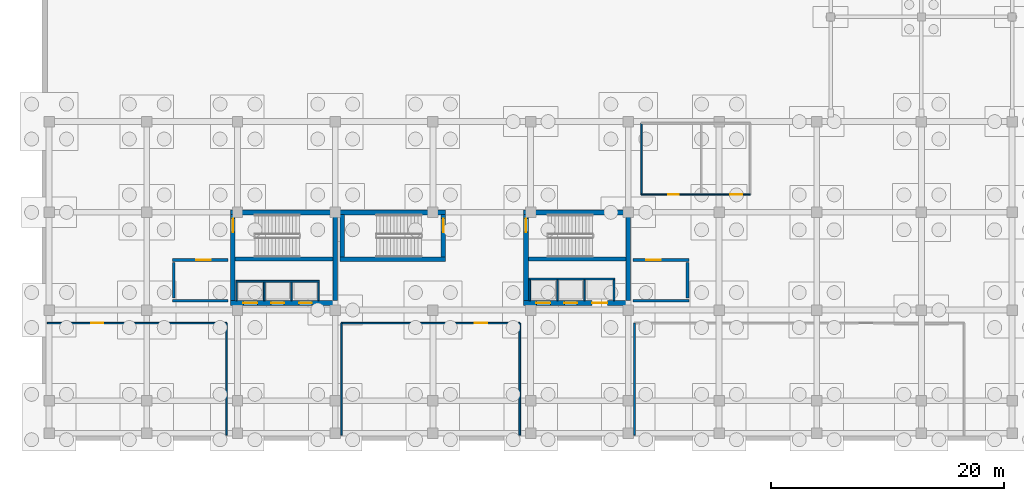
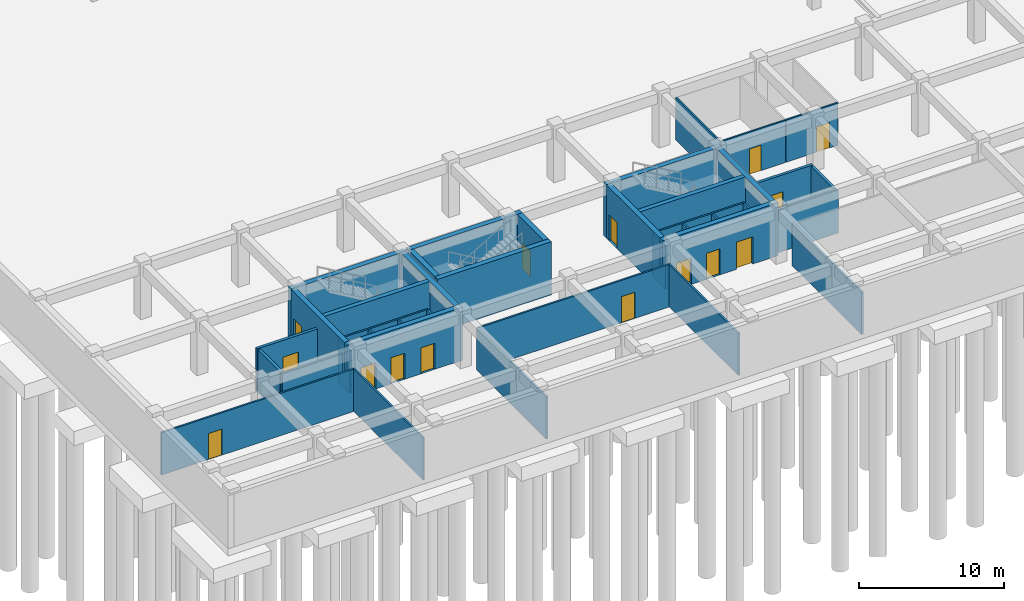
# One storey, part 16 of 35: 39 walls, 15 doors, 15 openings.
"""IFC4 building model written with IfcOpenShell, lengths in metres."""

from ifc_helpers import new_model, si_unit, direction, frame, frame_2d, origin, place, context, subcontext, project, spatial, rectangle, extrude, material, layer, layer_set, type_object, element, fill, save


model = new_model("IFC4")

# Units and contexts
model_context = context("Model", 3, precision=1e-05, world=origin(), true_north=direction((0.0, 1.0)))
body_context = subcontext(model_context, "Body", "Model", "MODEL_VIEW")
ifc_project = project(units=[si_unit("LENGTHUNIT", "METRE"), si_unit("AREAUNIT", "SQUARE_METRE"), si_unit("VOLUMEUNIT", "CUBIC_METRE"), si_unit("PLANEANGLEUNIT", "RADIAN"), si_unit("MASSUNIT", "GRAM", prefix="KILO")], contexts=[model_context])

# Site, building, storey
site_placement = place(None, origin())
site = spatial("IfcSite", under=ifc_project, at=site_placement, CompositionType="ELEMENT")
building_placement = place(site_placement, origin())
building = spatial("IfcBuilding", under=site, at=building_placement, Name="Zayran Congress Hotel", CompositionType="ELEMENT")
storey_placement = place(building_placement, frame((0.0, 0.0, -4.800048828125)))
storey = spatial("IfcBuildingStorey", under=building, at=storey_placement, Name="B1", CompositionType="ELEMENT", Elevation=-4.800048828125)

# Wall, openings, doors
ifc_material_1 = material(Name="Concrete C40/50", Category="concrete")
ifc_layer_1 = layer(ifc_material_1, 0.39990234375)
ifc_layer_set_1 = layer_set([ifc_layer_1], Name="Concrete C40/50")
wall_type_1 = type_object("IfcWallType", Name="WL-SH-400", PredefinedType="SHEAR", material=ifc_layer_set_1)
wall_1_placement = place(storey_placement, frame((24.60009765625, 17.800048828125, 0.0), z_axis=(0.0, 0.0, 1.0), x_axis=(1.0, 0.0, 0.0)))
wall_1 = element("IfcWall", 1, at=wall_1_placement, inside=storey, type_object=wall_type_1, Name="CWALL-C-V5W-B1-S", PredefinedType="SHEAR", context=body_context, shape_type="SweptSolid", body=[
    extrude(rectangle(XDim=9.199951171875, YDim=0.39990234375, at=frame_2d((4.60009765625, 0.0))), origin(), (0.0, 0.0, 1.0), 4.47998046875),
])
opening_1_placement = place(wall_1_placement, frame((1.10009765625, 0.0, 0.0)))
opening_1 = element("IfcOpeningElement", 2, at=opening_1_placement, cuts=wall_1, Name="Opening LD-FL01", PredefinedType="OPENING", context=body_context, shape_type="SweptSolid", body=[
    extrude(rectangle(XDim=1.199951171875, YDim=2.199951171875, at=frame_2d((0.60009765625, 1.10009765625))), frame((0.0, 0.2099609375, 0.0), z_axis=(0.0, -1.0, 0.0), x_axis=(1.0, 0.0, 0.0)), (0.0, 0.0, 1.0), 0.419921875),
])
opening_2_placement = place(wall_1_placement, frame((3.5, 0.0, 0.0)))
opening_2 = element("IfcOpeningElement", 3, at=opening_2_placement, cuts=wall_1, Name="Opening LD-PL01", PredefinedType="OPENING", context=body_context, shape_type="SweptSolid", body=[
    extrude(rectangle(XDim=1.10009765625, YDim=2.199951171875, at=frame_2d((0.550048828125, 1.10009765625))), frame((0.0, 0.2099609375, 0.0), z_axis=(0.0, -1.0, 0.0), x_axis=(1.0, 0.0, 0.0)), (0.0, 0.0, 1.0), 0.419921875),
])
opening_3_placement = place(wall_1_placement, frame((5.89990234375, 0.0, 0.0)))
opening_3 = element("IfcOpeningElement", 4, at=opening_3_placement, cuts=wall_1, Name="Opening LD-PL02", PredefinedType="OPENING", context=body_context, shape_type="SweptSolid", body=[
    extrude(rectangle(XDim=1.10009765625, YDim=2.199951171875, at=frame_2d((0.550048828125, 1.10009765625))), frame((0.0, 0.2099609375, 0.0), z_axis=(0.0, -1.0, 0.0), x_axis=(1.0, 0.0, 0.0)), (0.0, 0.0, 1.0), 0.419921875),
])
ifc_material_2 = material(Name="Brushed stainless steel sliding lift landing door", Category="steel")
door_type_1 = type_object("IfcDoorType", Name="TP-DR-LD-01", OperationType="DOUBLE_DOOR_SLIDING", PredefinedType="DOOR", material=ifc_material_2)
door_1_placement = place(opening_2_placement, origin())
door_1 = element("IfcDoor", 5, at=door_1_placement, inside=storey, type_object=door_type_1, Name="Lift PL-01 Sliding Landing Door B1", OperationType="DOUBLE_DOOR_SLIDING", OverallHeight=2.199951171875, OverallWidth=1.10009765625, PredefinedType="DOOR", context=body_context, shape_type="SweptSolid", body=[
    extrude(rectangle(XDim=1.10009765625, YDim=2.199951171875, at=frame_2d((0.550048828125, 1.10009765625))), frame((0.0, 0.02490234375, 0.0), z_axis=(0.0, -1.0, 0.0), x_axis=(1.0, 0.0, 0.0)), (0.0, 0.0, 1.0), 0.050048828125),
])
fill(opening_2, door_1)
door_2_placement = place(opening_3_placement, origin())
door_2 = element("IfcDoor", 6, at=door_2_placement, inside=storey, type_object=door_type_1, Name="Lift PL-02 Sliding Landing Door B1", OperationType="DOUBLE_DOOR_SLIDING", OverallHeight=2.199951171875, OverallWidth=1.10009765625, PredefinedType="DOOR", context=body_context, shape_type="SweptSolid", body=[
    extrude(rectangle(XDim=1.10009765625, YDim=2.199951171875, at=frame_2d((0.550048828125, 1.10009765625))), frame((0.0, 0.02490234375, 0.0), z_axis=(0.0, -1.0, 0.0), x_axis=(1.0, 0.0, 0.0)), (0.0, 0.0, 1.0), 0.050048828125),
])
fill(opening_3, door_2)
ifc_material_3 = material(Name="Brushed stainless steel firefighting lift landing door", Category="steel")
door_type_2 = type_object("IfcDoorType", Name="TP-DR-LD-02", OperationType="DOUBLE_DOOR_SLIDING", PredefinedType="DOOR", material=ifc_material_3)
door_3_placement = place(opening_1_placement, origin())
door_3 = element("IfcDoor", 7, at=door_3_placement, inside=storey, type_object=door_type_2, Name="Lift FL-01 Sliding Landing Door B1", OperationType="DOUBLE_DOOR_SLIDING", OverallHeight=2.199951171875, OverallWidth=1.199951171875, PredefinedType="DOOR", context=body_context, shape_type="SweptSolid", body=[
    extrude(rectangle(XDim=1.199951171875, YDim=2.199951171875, at=frame_2d((0.60009765625, 1.10009765625))), frame((0.0, 0.02490234375, 0.0), z_axis=(0.0, -1.0, 0.0), x_axis=(1.0, 0.0, 0.0)), (0.0, 0.0, 1.0), 0.050048828125),
])
fill(opening_1, door_3)

# Wall
wall_2_placement = place(storey_placement, frame((33.800048828125, 25.5849609375, 0.0), z_axis=(0.0, 0.0, 1.0), x_axis=(-1.0, 0.0, 0.0)))
element("IfcWall", 8, at=wall_2_placement, inside=storey, type_object=wall_type_1, Name="CWALL-C-V5W-B1-N", PredefinedType="SHEAR", context=body_context, shape_type="SweptSolid", body=[
    extrude(rectangle(XDim=9.199951171875, YDim=0.39990234375, at=frame_2d((4.60009765625, 0.0))), origin(), (0.0, 0.0, 1.0), 4.47998046875),
])

# Wall, opening, door
wall_3_placement = place(storey_placement, frame((24.800048828125, 25.39990234375, 0.0), z_axis=(0.0, 0.0, 1.0), x_axis=(0.0, -1.0, 0.0)))
wall_3 = element("IfcWall", 9, at=wall_3_placement, inside=storey, type_object=wall_type_1, Name="CWALL-C-V5W-B1-W", PredefinedType="SHEAR", context=body_context, shape_type="SweptSolid", body=[
    extrude(rectangle(XDim=7.39990234375, YDim=0.39990234375, at=frame_2d((3.699951171875, 0.0))), origin(), (0.0, 0.0, 1.0), 4.47998046875),
])
opening_4_placement = place(wall_3_placement, frame((0.35009765625, 0.0, 0.0)))
opening_4 = element("IfcOpeningElement", 10, at=opening_4_placement, cuts=wall_3, Name="Opening DR-FD-90", PredefinedType="OPENING", context=body_context, shape_type="SweptSolid", body=[
    extrude(rectangle(XDim=1.14990234375, YDim=2.199951171875, at=frame_2d((0.574951171875, 1.10009765625))), frame((0.0, 0.2099609375, 0.0), z_axis=(0.0, -1.0, 0.0), x_axis=(1.0, 0.0, 0.0)), (0.0, 0.0, 1.0), 0.419921875),
])
ifc_material_4 = material(Name="Painted steel fire door assembly", Category="steel")
door_type_3 = type_object("IfcDoorType", Name="TP-DR-FD-90", OperationType="NOTDEFINED", PredefinedType="DOOR", material=ifc_material_4)
door_4_placement = place(opening_4_placement, origin())
door_4 = element("IfcDoor", 11, at=door_4_placement, inside=storey, type_object=door_type_3, Name="ST-01 Exit Stair Door B1", OperationType="SINGLE_SWING_LEFT", OverallHeight=2.199951171875, OverallWidth=1.14990234375, PredefinedType="DOOR", context=body_context, shape_type="SweptSolid", body=[
    extrude(rectangle(XDim=1.14990234375, YDim=2.199951171875, at=frame_2d((0.574951171875, 1.10009765625))), frame((0.0, 0.02490234375, 0.0), z_axis=(0.0, -1.0, 0.0), x_axis=(1.0, 0.0, 0.0)), (0.0, 0.0, 1.0), 0.050048828125),
])
fill(opening_4, door_4)

# Wall
wall_4_placement = place(storey_placement, frame((33.60009765625, 18.0, 0.0), z_axis=(0.0, 0.0, 1.0), x_axis=(0.0, 1.0, 0.0)))
element("IfcWall", 12, at=wall_4_placement, inside=storey, type_object=wall_type_1, Name="CWALL-C-V5W-B1-E", PredefinedType="SHEAR", context=body_context, shape_type="SweptSolid", body=[
    extrude(rectangle(XDim=7.39990234375, YDim=0.39990234375, at=frame_2d((3.699951171875, 0.0))), origin(), (0.0, 0.0, 1.0), 4.47998046875),
])

# Wall, openings, doors
wall_5_placement = place(storey_placement, frame((49.800048828125, 17.800048828125, 0.0), z_axis=(0.0, 0.0, 1.0), x_axis=(1.0, 0.0, 0.0)))
wall_5 = element("IfcWall", 13, at=wall_5_placement, inside=storey, type_object=wall_type_1, Name="CWALL-C-V5E-B1-S", PredefinedType="SHEAR", context=body_context, shape_type="SweptSolid", body=[
    extrude(rectangle(XDim=9.199951171875, YDim=0.39990234375, at=frame_2d((4.60009765625, 0.0))), origin(), (0.0, 0.0, 1.0), 4.47998046875),
])
opening_5_placement = place(wall_5_placement, frame((1.10009765625, 0.0, 0.0)))
opening_5 = element("IfcOpeningElement", 14, at=opening_5_placement, cuts=wall_5, Name="Opening LD-FL02", PredefinedType="OPENING", context=body_context, shape_type="SweptSolid", body=[
    extrude(rectangle(XDim=1.199951171875, YDim=2.199951171875, at=frame_2d((0.60009765625, 1.10009765625))), frame((0.0, 0.2099609375, 0.0), z_axis=(0.0, -1.0, 0.0), x_axis=(1.0, 0.0, 0.0)), (0.0, 0.0, 1.0), 0.419921875),
])
opening_6_placement = place(wall_5_placement, frame((3.5, 0.0, 0.0)))
opening_6 = element("IfcOpeningElement", 15, at=opening_6_placement, cuts=wall_5, Name="Opening LD-PL03", PredefinedType="OPENING", context=body_context, shape_type="SweptSolid", body=[
    extrude(rectangle(XDim=1.10009765625, YDim=2.199951171875, at=frame_2d((0.550048828125, 1.10009765625))), frame((0.0, 0.2099609375, 0.0), z_axis=(0.0, -1.0, 0.0), x_axis=(1.0, 0.0, 0.0)), (0.0, 0.0, 1.0), 0.419921875),
])
opening_7_placement = place(wall_5_placement, frame((5.89990234375, 0.0, 0.0)))
opening_7 = element("IfcOpeningElement", 16, at=opening_7_placement, cuts=wall_5, Name="Opening LD-SV01", PredefinedType="OPENING", context=body_context, shape_type="SweptSolid", body=[
    extrude(rectangle(XDim=1.300048828125, YDim=2.300048828125, at=frame_2d((0.64990234375, 1.14990234375))), frame((0.0, 0.2099609375, 0.0), z_axis=(0.0, -1.0, 0.0), x_axis=(1.0, 0.0, 0.0)), (0.0, 0.0, 1.0), 0.419921875),
])
door_5_placement = place(opening_6_placement, origin())
door_5 = element("IfcDoor", 17, at=door_5_placement, inside=storey, type_object=door_type_1, Name="Lift PL-03 Sliding Landing Door B1", OperationType="DOUBLE_DOOR_SLIDING", OverallHeight=2.199951171875, OverallWidth=1.10009765625, PredefinedType="DOOR", context=body_context, shape_type="SweptSolid", body=[
    extrude(rectangle(XDim=1.10009765625, YDim=2.199951171875, at=frame_2d((0.550048828125, 1.10009765625))), frame((0.0, 0.02490234375, 0.0), z_axis=(0.0, -1.0, 0.0), x_axis=(1.0, 0.0, 0.0)), (0.0, 0.0, 1.0), 0.050048828125),
])
fill(opening_6, door_5)
door_6_placement = place(opening_5_placement, origin())
door_6 = element("IfcDoor", 18, at=door_6_placement, inside=storey, type_object=door_type_2, Name="Lift FL-02 Sliding Landing Door B1", OperationType="DOUBLE_DOOR_SLIDING", OverallHeight=2.199951171875, OverallWidth=1.199951171875, PredefinedType="DOOR", context=body_context, shape_type="SweptSolid", body=[
    extrude(rectangle(XDim=1.199951171875, YDim=2.199951171875, at=frame_2d((0.60009765625, 1.10009765625))), frame((0.0, 0.02490234375, 0.0), z_axis=(0.0, -1.0, 0.0), x_axis=(1.0, 0.0, 0.0)), (0.0, 0.0, 1.0), 0.050048828125),
])
fill(opening_5, door_6)
ifc_material_5 = material(Name="Heavy-duty stainless steel service lift landing door", Category="steel")
door_type_4 = type_object("IfcDoorType", Name="TP-DR-LD-03", OperationType="DOUBLE_DOOR_SLIDING", PredefinedType="DOOR", material=ifc_material_5)
door_7_placement = place(opening_7_placement, origin())
door_7 = element("IfcDoor", 19, at=door_7_placement, inside=storey, type_object=door_type_4, Name="Lift SV-01 Sliding Landing Door B1", OperationType="DOUBLE_DOOR_SLIDING", OverallHeight=2.300048828125, OverallWidth=1.300048828125, PredefinedType="DOOR", context=body_context, shape_type="SweptSolid", body=[
    extrude(rectangle(XDim=1.300048828125, YDim=2.300048828125, at=frame_2d((0.64990234375, 1.14990234375))), frame((0.0, 0.02490234375, 0.0), z_axis=(0.0, -1.0, 0.0), x_axis=(1.0, 0.0, 0.0)), (0.0, 0.0, 1.0), 0.050048828125),
])
fill(opening_7, door_7)

# Wall
wall_6_placement = place(storey_placement, frame((59.0, 25.5849609375, 0.0), z_axis=(0.0, 0.0, 1.0), x_axis=(-1.0, 0.0, 0.0)))
element("IfcWall", 20, at=wall_6_placement, inside=storey, type_object=wall_type_1, Name="CWALL-C-V5E-B1-N", PredefinedType="SHEAR", context=body_context, shape_type="SweptSolid", body=[
    extrude(rectangle(XDim=9.199951171875, YDim=0.39990234375, at=frame_2d((4.60009765625, 0.0))), origin(), (0.0, 0.0, 1.0), 4.47998046875),
])

# Wall, opening, door
wall_7_placement = place(storey_placement, frame((50.0, 25.39990234375, 0.0), z_axis=(0.0, 0.0, 1.0), x_axis=(0.0, -1.0, 0.0)))
wall_7 = element("IfcWall", 21, at=wall_7_placement, inside=storey, type_object=wall_type_1, Name="CWALL-C-V5E-B1-W", PredefinedType="SHEAR", context=body_context, shape_type="SweptSolid", body=[
    extrude(rectangle(XDim=7.39990234375, YDim=0.39990234375, at=frame_2d((3.699951171875, 0.0))), origin(), (0.0, 0.0, 1.0), 4.47998046875),
])
opening_8_placement = place(wall_7_placement, frame((0.35009765625, 0.0, 0.0)))
opening_8 = element("IfcOpeningElement", 22, at=opening_8_placement, cuts=wall_7, Name="Opening DR-FD-90", PredefinedType="OPENING", context=body_context, shape_type="SweptSolid", body=[
    extrude(rectangle(XDim=1.14990234375, YDim=2.199951171875, at=frame_2d((0.574951171875, 1.10009765625))), frame((0.0, 0.2099609375, 0.0), z_axis=(0.0, -1.0, 0.0), x_axis=(1.0, 0.0, 0.0)), (0.0, 0.0, 1.0), 0.419921875),
])
door_8_placement = place(opening_8_placement, origin())
door_8 = element("IfcDoor", 23, at=door_8_placement, inside=storey, type_object=door_type_3, Name="ST-02 Exit Stair Door B1", OperationType="SINGLE_SWING_LEFT", OverallHeight=2.199951171875, OverallWidth=1.14990234375, PredefinedType="DOOR", context=body_context, shape_type="SweptSolid", body=[
    extrude(rectangle(XDim=1.14990234375, YDim=2.199951171875, at=frame_2d((0.574951171875, 1.10009765625))), frame((0.0, 0.02490234375, 0.0), z_axis=(0.0, -1.0, 0.0), x_axis=(1.0, 0.0, 0.0)), (0.0, 0.0, 1.0), 0.050048828125),
])
fill(opening_8, door_8)

# Walls
wall_8_placement = place(storey_placement, frame((58.800048828125, 18.0, 0.0), z_axis=(0.0, 0.0, 1.0), x_axis=(0.0, 1.0, 0.0)))
element("IfcWall", 24, at=wall_8_placement, inside=storey, type_object=wall_type_1, Name="CWALL-C-V5E-B1-E", PredefinedType="SHEAR", context=body_context, shape_type="SweptSolid", body=[
    extrude(rectangle(XDim=7.39990234375, YDim=0.39990234375, at=frame_2d((3.699951171875, 0.0))), origin(), (0.0, 0.0, 1.0), 4.47998046875),
])
for number, where, z_axis, x_axis, name in (
    (25, (34.0, 21.56005859375, 0.0), (0.0, 0.0, 1.0), (1.0, 0.0, 0.0), "CWALL-C-V5M-B1-S"),
    (26, (43.10009765625, 25.5849609375, 0.0), (0.0, 0.0, 1.0), (-1.0, 0.0, 0.0), "CWALL-C-V5M-B1-N"),
):
    element("IfcWall", number, at=place(storey_placement, frame(where, z_axis=z_axis, x_axis=x_axis)), inside=storey, type_object=wall_type_1, Name=name, PredefinedType="SHEAR", context=body_context, shape_type="SweptSolid", body=[
        extrude(rectangle(XDim=9.10009765625, YDim=0.39990234375, at=frame_2d((4.550048828125, 0.0))), origin(), (0.0, 0.0, 1.0), 4.47998046875),
    ])
wall_9_placement = place(storey_placement, frame((34.199951171875, 25.39990234375, 0.0), z_axis=(0.0, 0.0, 1.0), x_axis=(0.0, -1.0, 0.0)))
element("IfcWall", 27, at=wall_9_placement, inside=storey, type_object=wall_type_1, Name="CWALL-C-V5M-B1-W", PredefinedType="SHEAR", context=body_context, shape_type="SweptSolid", body=[
    extrude(rectangle(XDim=3.639892578125, YDim=0.39990234375, at=frame_2d((1.81982421875, 0.0))), origin(), (0.0, 0.0, 1.0), 4.47998046875),
])

# Wall, opening, door
wall_10_placement = place(storey_placement, frame((42.89990234375, 21.760009765625, 0.0), z_axis=(0.0, 0.0, 1.0), x_axis=(0.0, 1.0, 0.0)))
wall_10 = element("IfcWall", 28, at=wall_10_placement, inside=storey, type_object=wall_type_1, Name="CWALL-C-V5M-B1-E", PredefinedType="SHEAR", context=body_context, shape_type="SweptSolid", body=[
    extrude(rectangle(XDim=3.639892578125, YDim=0.39990234375, at=frame_2d((1.81982421875, 0.0))), origin(), (0.0, 0.0, 1.0), 4.47998046875),
])
opening_9_placement = place(wall_10_placement, frame((2.139892578125, 0.0, 0.0)))
opening_9 = element("IfcOpeningElement", 29, at=opening_9_placement, cuts=wall_10, Name="Opening DR-FD-90", PredefinedType="OPENING", context=body_context, shape_type="SweptSolid", body=[
    extrude(rectangle(XDim=1.14990234375, YDim=2.199951171875, at=frame_2d((0.574951171875, 1.10009765625))), frame((0.0, 0.2099609375, 0.0), z_axis=(0.0, -1.0, 0.0), x_axis=(1.0, 0.0, 0.0)), (0.0, 0.0, 1.0), 0.419921875),
])
door_9_placement = place(opening_9_placement, origin())
door_9 = element("IfcDoor", 30, at=door_9_placement, inside=storey, type_object=door_type_3, Name="ST-13 Exit Stair Door B1", OperationType="SINGLE_SWING_LEFT", OverallHeight=2.199951171875, OverallWidth=1.14990234375, PredefinedType="DOOR", context=body_context, shape_type="SweptSolid", body=[
    extrude(rectangle(XDim=1.14990234375, YDim=2.199951171875, at=frame_2d((0.574951171875, 1.10009765625))), frame((0.0, 0.02490234375, 0.0), z_axis=(0.0, -1.0, 0.0), x_axis=(1.0, 0.0, 0.0)), (0.0, 0.0, 1.0), 0.050048828125),
])
fill(opening_9, door_9)

# Walls
ifc_layer_2 = layer(ifc_material_1, 0.35009765625)
ifc_layer_set_2 = layer_set([ifc_layer_2], Name="Concrete C40/50")
wall_type_2 = type_object("IfcWallType", Name="WL-SH-350", PredefinedType="SHEAR", material=ifc_layer_set_2)
wall_11_placement = place(storey_placement, frame((25.0, 21.5849609375, 0.0), z_axis=(0.0, 0.0, 1.0), x_axis=(1.0, 0.0, 0.0)))
element("IfcWall", 31, at=wall_11_placement, inside=storey, type_object=wall_type_2, Name="CWALL-C-V5W-B1-SPN", PredefinedType="SHEAR", context=body_context, shape_type="SweptSolid", body=[
    extrude(rectangle(XDim=8.39990234375, YDim=0.35009765625, at=frame_2d((4.199951171875, 0.0))), origin(), (0.0, 0.0, 1.0), 4.47998046875),
])
wall_12_placement = place(storey_placement, frame((50.199951171875, 21.5849609375, 0.0), z_axis=(0.0, 0.0, 1.0), x_axis=(1.0, 0.0, 0.0)))
element("IfcWall", 32, at=wall_12_placement, inside=storey, type_object=wall_type_2, Name="CWALL-C-V5E-B1-SPN", PredefinedType="SHEAR", context=body_context, shape_type="SweptSolid", body=[
    extrude(rectangle(XDim=8.400146484375, YDim=0.35009765625, at=frame_2d((4.2001953125, 0.0))), origin(), (0.0, 0.0, 1.0), 4.47998046875),
])
ifc_material_6 = material(Name="Concrete C32/40 fire wall", Category="concrete")
ifc_layer_3 = layer(ifc_material_6, 0.219970703125)
ifc_layer_set_3 = layer_set([ifc_layer_3], Name="Concrete C32/40 fire wall")
wall_type_3 = type_object("IfcWallType", Name="WL-FF-220", PredefinedType="SOLIDWALL", material=ifc_layer_set_3)
wall_13_placement = place(storey_placement, frame((19.60009765625, 18.0, 0.0), z_axis=(0.0, 0.0, 1.0), x_axis=(1.0, 0.0, 0.0)))
element("IfcWall", 33, at=wall_13_placement, inside=storey, type_object=wall_type_3, Name="FFWL-C-V5W-B1-S", PredefinedType="SOLIDWALL", context=body_context, shape_type="SweptSolid", body=[
    extrude(rectangle(XDim=4.7998046875, YDim=0.219970703125, at=frame_2d((2.39990234375, 0.0))), origin(), (0.0, 0.0, 1.0), 3.630126953125),
])

# Wall, opening, door
wall_14_placement = place(storey_placement, frame((19.60009765625, 21.5, 0.0), z_axis=(0.0, 0.0, 1.0), x_axis=(1.0, 0.0, 0.0)))
wall_14 = element("IfcWall", 34, at=wall_14_placement, inside=storey, type_object=wall_type_3, Name="FFWL-C-V5W-B1-N", PredefinedType="SOLIDWALL", context=body_context, shape_type="SweptSolid", body=[
    extrude(rectangle(XDim=4.7998046875, YDim=0.219970703125, at=frame_2d((2.39990234375, 0.0))), origin(), (0.0, 0.0, 1.0), 3.630126953125),
])
opening_10_placement = place(wall_14_placement, frame((2.050048828125, 0.0, 0.0)))
opening_10 = element("IfcOpeningElement", 35, at=opening_10_placement, cuts=wall_14, Name="Opening DR-FF-60", PredefinedType="OPENING", context=body_context, shape_type="SweptSolid", body=[
    extrude(rectangle(XDim=1.25, YDim=2.199951171875, at=frame_2d((0.625, 1.10009765625))), frame((0.0, 0.119873046875, 0.0), z_axis=(0.0, -1.0, 0.0), x_axis=(1.0, 0.0, 0.0)), (0.0, 0.0, 1.0), 0.239990234375),
])
ifc_material_7 = material(Name="Painted steel smoke-seal fire door", Category="steel")
door_type_5 = type_object("IfcDoorType", Name="TP-DR-FF-60", OperationType="NOTDEFINED", PredefinedType="DOOR", material=ifc_material_7)
door_10_placement = place(opening_10_placement, origin())
door_10 = element("IfcDoor", 36, at=door_10_placement, inside=storey, type_object=door_type_5, Name="Firefighting Lift Lobby Door C-V5W B1", OperationType="SINGLE_SWING_RIGHT", OverallHeight=2.199951171875, OverallWidth=1.25, PredefinedType="DOOR", context=body_context, shape_type="SweptSolid", body=[
    extrude(rectangle(XDim=1.25, YDim=2.199951171875, at=frame_2d((0.625, 1.10009765625))), frame((0.0, 0.02490234375, 0.0), z_axis=(0.0, -1.0, 0.0), x_axis=(1.0, 0.0, 0.0)), (0.0, 0.0, 1.0), 0.050048828125),
])
fill(opening_10, door_10)

# Walls
wall_15_placement = place(storey_placement, frame((19.7099609375, 18.219970703125, 0.0), z_axis=(0.0, 0.0, 1.0), x_axis=(0.0, 1.0, 0.0)))
element("IfcWall", 37, at=wall_15_placement, inside=storey, type_object=wall_type_3, Name="FFWL-C-V5W-B1-SD", PredefinedType="SOLIDWALL", context=body_context, shape_type="SweptSolid", body=[
    extrude(rectangle(XDim=3.06005859375, YDim=0.219970703125, at=frame_2d((1.530029296875, 0.0))), origin(), (0.0, 0.0, 1.0), 3.630126953125),
])
wall_16_placement = place(storey_placement, frame((59.199951171875, 18.0, 0.0), z_axis=(0.0, 0.0, 1.0), x_axis=(1.0, 0.0, 0.0)))
element("IfcWall", 38, at=wall_16_placement, inside=storey, type_object=wall_type_3, Name="FFWL-C-V5E-B1-S", PredefinedType="SOLIDWALL", context=body_context, shape_type="SweptSolid", body=[
    extrude(rectangle(XDim=4.800048828125, YDim=0.219970703125, at=frame_2d((2.39990234375, 0.0))), origin(), (0.0, 0.0, 1.0), 3.630126953125),
])

# Wall, opening, door
wall_17_placement = place(storey_placement, frame((59.199951171875, 21.5, 0.0), z_axis=(0.0, 0.0, 1.0), x_axis=(1.0, 0.0, 0.0)))
wall_17 = element("IfcWall", 39, at=wall_17_placement, inside=storey, type_object=wall_type_3, Name="FFWL-C-V5E-B1-N", PredefinedType="SOLIDWALL", context=body_context, shape_type="SweptSolid", body=[
    extrude(rectangle(XDim=4.800048828125, YDim=0.219970703125, at=frame_2d((2.39990234375, 0.0))), origin(), (0.0, 0.0, 1.0), 3.630126953125),
])
opening_11_placement = place(wall_17_placement, frame((1.14990234375, 0.0, 0.0)))
opening_11 = element("IfcOpeningElement", 40, at=opening_11_placement, cuts=wall_17, Name="Opening DR-FF-60", PredefinedType="OPENING", context=body_context, shape_type="SweptSolid", body=[
    extrude(rectangle(XDim=1.25, YDim=2.199951171875, at=frame_2d((0.625, 1.10009765625))), frame((0.0, 0.119873046875, 0.0), z_axis=(0.0, -1.0, 0.0), x_axis=(1.0, 0.0, 0.0)), (0.0, 0.0, 1.0), 0.239990234375),
])
door_11_placement = place(opening_11_placement, origin())
door_11 = element("IfcDoor", 41, at=door_11_placement, inside=storey, type_object=door_type_5, Name="Firefighting Lift Lobby Door C-V5E B1", OperationType="SINGLE_SWING_RIGHT", OverallHeight=2.199951171875, OverallWidth=1.25, PredefinedType="DOOR", context=body_context, shape_type="SweptSolid", body=[
    extrude(rectangle(XDim=1.25, YDim=2.199951171875, at=frame_2d((0.625, 1.10009765625))), frame((0.0, 0.02490234375, 0.0), z_axis=(0.0, -1.0, 0.0), x_axis=(1.0, 0.0, 0.0)), (0.0, 0.0, 1.0), 0.050048828125),
])
fill(opening_11, door_11)

# Walls
wall_18_placement = place(storey_placement, frame((63.889892578125, 18.219970703125, 0.0), z_axis=(0.0, 0.0, 1.0), x_axis=(0.0, 1.0, 0.0)))
element("IfcWall", 42, at=wall_18_placement, inside=storey, type_object=wall_type_3, Name="FFWL-C-V5E-B1-SD", PredefinedType="SOLIDWALL", context=body_context, shape_type="SweptSolid", body=[
    extrude(rectangle(XDim=3.06005859375, YDim=0.219970703125, at=frame_2d((1.530029296875, 0.0))), origin(), (0.0, 0.0, 1.0), 3.630126953125),
])
ifc_material_8 = material(Name="Hospitality guestroom acoustic partition", Category="gypsum")
ifc_layer_4 = layer(ifc_material_8, 0.139892578125)
ifc_layer_set_4 = layer_set([ifc_layer_4], Name="Hospitality guestroom acoustic partition")
wall_type_4 = type_object("IfcWallType", Name="WL-PT-140", PredefinedType="PARTITIONING", material=ifc_layer_set_4)
for number, where, z_axis, x_axis, name in (
    (43, (25.1298828125, 18.0, 0.0), (0.0, 0.0, 1.0), (0.0, 1.0, 0.0), "LSHW-C-V5W-B1-W"),
    (44, (27.5, 18.0, 0.0), (0.0, 0.0, 1.0), (0.0, 1.0, 0.0), "LSHW-C-V5W-B1-DIV1"),
    (45, (29.85009765625, 18.0, 0.0), (0.0, 0.0, 1.0), (0.0, 1.0, 0.0), "LSHW-C-V5W-B1-DIV2"),
    (46, (32.169921875, 18.0, 0.0), (0.0, 0.0, 1.0), (0.0, 1.0, 0.0), "LSHW-C-V5W-B1-E"),
):
    element("IfcWall", number, at=place(storey_placement, frame(where, z_axis=z_axis, x_axis=x_axis)), inside=storey, type_object=wall_type_4, Name=name, PredefinedType="PARTITIONING", context=body_context, shape_type="SweptSolid", body=[
        extrude(rectangle(XDim=1.60009765625, YDim=0.139892578125, at=frame_2d((0.800048828125, 0.0))), origin(), (0.0, 0.0, 1.0), 3.630126953125),
    ])
wall_19_placement = place(storey_placement, frame((25.06005859375, 19.669921875, 0.0), z_axis=(0.0, 0.0, 1.0), x_axis=(1.0, 0.0, 0.0)))
element("IfcWall", 47, at=wall_19_placement, inside=storey, type_object=wall_type_4, Name="LSHW-C-V5W-B1-N", PredefinedType="PARTITIONING", context=body_context, shape_type="SweptSolid", body=[
    extrude(rectangle(XDim=7.179931640625, YDim=0.139892578125, at=frame_2d((3.58984375, 0.0))), origin(), (0.0, 0.0, 1.0), 3.630126953125),
])
for number, where, z_axis, x_axis, name in (
    (48, (50.330078125, 18.0, 0.0), (0.0, 0.0, 1.0), (0.0, 1.0, 0.0), "LSHW-C-V5E-B1-W"),
    (49, (52.699951171875, 18.0, 0.0), (0.0, 0.0, 1.0), (0.0, 1.0, 0.0), "LSHW-C-V5E-B1-DIV1"),
    (50, (55.050048828125, 18.0, 0.0), (0.0, 0.0, 1.0), (0.0, 1.0, 0.0), "LSHW-C-V5E-B1-DIV2"),
    (51, (57.570068359375, 18.0, 0.0), (0.0, 0.0, 1.0), (0.0, 1.0, 0.0), "LSHW-C-V5E-B1-E"),
):
    element("IfcWall", number, at=place(storey_placement, frame(where, z_axis=z_axis, x_axis=x_axis)), inside=storey, type_object=wall_type_4, Name=name, PredefinedType="PARTITIONING", context=body_context, shape_type="SweptSolid", body=[
        extrude(rectangle(XDim=1.800048828125, YDim=0.139892578125, at=frame_2d((0.89990234375, 0.0))), origin(), (0.0, 0.0, 1.0), 3.630126953125),
    ])
wall_20_placement = place(storey_placement, frame((50.260009765625, 19.8701171875, 0.0), z_axis=(0.0, 0.0, 1.0), x_axis=(1.0, 0.0, 0.0)))
element("IfcWall", 52, at=wall_20_placement, inside=storey, type_object=wall_type_4, Name="LSHW-C-V5E-B1-N", PredefinedType="PARTITIONING", context=body_context, shape_type="SweptSolid", body=[
    extrude(rectangle(XDim=7.3798828125, YDim=0.139892578125, at=frame_2d((3.68994140625, 0.0))), origin(), (0.0, 0.0, 1.0), 3.630126953125),
])

# Wall, opening, door
wall_21_placement = place(storey_placement, frame((8.85009765625, 16.070068359375, 0.0), z_axis=(0.0, 0.0, 1.0), x_axis=(1.0, 0.0, 0.0)))
wall_21 = element("IfcWall", 53, at=wall_21_placement, inside=storey, type_object=wall_type_4, Name="IW-B1-0385", PredefinedType="PARTITIONING", context=body_context, shape_type="SweptSolid", body=[
    extrude(rectangle(XDim=15.429931640625, YDim=0.139892578125, at=frame_2d((7.71484375, 0.0))), origin(), (0.0, 0.0, 1.0), 3.580078125),
])
opening_12_placement = place(wall_21_placement, frame((3.760009765625, 0.0, 0.0)))
opening_12 = element("IfcOpeningElement", 54, at=opening_12_placement, cuts=wall_21, Name="Opening DR-PL-02", PredefinedType="OPENING", context=body_context, shape_type="SweptSolid", body=[
    extrude(rectangle(XDim=1.06005859375, YDim=2.199951171875, at=frame_2d((0.530029296875, 1.10009765625))), frame((0.0, 0.079833984375, 0.0), z_axis=(0.0, -1.0, 0.0), x_axis=(1.0, 0.0, 0.0)), (0.0, 0.0, 1.0), 0.159912109375),
])
ifc_material_9 = material(Name="Painted steel store room fire door", Category="steel")
door_type_6 = type_object("IfcDoorType", Name="TP-DR-PL-02", OperationType="NOTDEFINED", PredefinedType="DOOR", material=ifc_material_9)
door_12_placement = place(opening_12_placement, origin())
door_12 = element("IfcDoor", 55, at=door_12_placement, inside=storey, type_object=door_type_6, Name="Hotel Laundry and Housekeeping B1 Door", OperationType="SINGLE_SWING_RIGHT", OverallHeight=2.199951171875, OverallWidth=1.06005859375, PredefinedType="DOOR", context=body_context, shape_type="SweptSolid", body=[
    extrude(rectangle(XDim=1.06005859375, YDim=2.199951171875, at=frame_2d((0.530029296875, 1.10009765625))), frame((0.0, 0.02490234375, 0.0), z_axis=(0.0, -1.0, 0.0), x_axis=(1.0, 0.0, 0.0)), (0.0, 0.0, 1.0), 0.050048828125),
])
fill(opening_12, door_12)

wall_22_placement = place(storey_placement, frame((34.1201171875, 16.070068359375, 0.0), z_axis=(0.0, 0.0, 1.0), x_axis=(1.0, 0.0, 0.0)))
wall_22 = element("IfcWall", 56, at=wall_22_placement, inside=storey, type_object=wall_type_4, Name="IW-B1-0386", PredefinedType="PARTITIONING", context=body_context, shape_type="SweptSolid", body=[
    extrude(rectangle(XDim=15.35986328125, YDim=0.139892578125, at=frame_2d((7.679931640625, 0.0))), origin(), (0.0, 0.0, 1.0), 3.580078125),
])
opening_13_placement = place(wall_22_placement, frame((11.48291015625, 0.0, 0.0)))
opening_13 = element("IfcOpeningElement", 57, at=opening_13_placement, cuts=wall_22, Name="Opening DR-PL-02", PredefinedType="OPENING", context=body_context, shape_type="SweptSolid", body=[
    extrude(rectangle(XDim=1.06005859375, YDim=2.199951171875, at=frame_2d((0.530029296875, 1.10009765625))), frame((0.0, 0.079833984375, 0.0), z_axis=(0.0, -1.0, 0.0), x_axis=(1.0, 0.0, 0.0)), (0.0, 0.0, 1.0), 0.159912109375),
])
door_13_placement = place(opening_13_placement, origin())
door_13 = element("IfcDoor", 58, at=door_13_placement, inside=storey, type_object=door_type_6, Name="Linen Store Room B1 Door", OperationType="SINGLE_SWING_LEFT", OverallHeight=2.199951171875, OverallWidth=1.06005859375, PredefinedType="DOOR", context=body_context, shape_type="SweptSolid", body=[
    extrude(rectangle(XDim=1.06005859375, YDim=2.199951171875, at=frame_2d((0.530029296875, 1.10009765625))), frame((0.0, 0.02490234375, 0.0), z_axis=(0.0, -1.0, 0.0), x_axis=(1.0, 0.0, 0.0)), (0.0, 0.0, 1.0), 0.050048828125),
])
fill(opening_13, door_13)

# Walls
for number, where, z_axis, x_axis, name in (
    (59, (24.27001953125, 6.449951171875, 0.0), (0.0, 0.0, 1.0), (0.0, 1.0, 0.0), "IW-B1-1648"),
    (60, (34.1298828125, 6.449951171875, 0.0), (0.0, 0.0, 1.0), (0.0, 1.0, 0.0), "IW-B1-1649"),
    (61, (49.469970703125, 6.449951171875, 0.0), (0.0, 0.0, 1.0), (0.0, 1.0, 0.0), "IW-B1-1650"),
    (62, (59.330078125, 6.449951171875, 0.0), (0.0, 0.0, 1.0), (0.0, 1.0, 0.0), "IW-B1-1651"),
):
    element("IfcWall", number, at=place(storey_placement, frame(where, z_axis=z_axis, x_axis=x_axis)), inside=storey, type_object=wall_type_4, Name=name, PredefinedType="PARTITIONING", context=body_context, shape_type="SweptSolid", body=[
        extrude(rectangle(XDim=9.630126953125, YDim=0.139892578125, at=frame_2d((4.81494140625, 0.0))), origin(), (0.0, 0.0, 1.0), 3.580078125),
    ])

# Wall, opening, door
ifc_material_10 = material(Name="Moisture-resistant bathroom partition", Category="gypsum")
ifc_layer_5 = layer(ifc_material_10, 0.1201171875)
ifc_layer_set_5 = layer_set([ifc_layer_5], Name="Moisture-resistant bathroom partition")
wall_type_5 = type_object("IfcWallType", Name="WL-PT-120", PredefinedType="PARTITIONING", material=ifc_layer_set_5)
wall_23_placement = place(storey_placement, frame((59.919921875, 27.1298828125, 0.0), z_axis=(0.0, 0.0, 1.0), x_axis=(1.0, 0.0, 0.0)))
wall_23 = element("IfcWall", 63, at=wall_23_placement, inside=storey, type_object=wall_type_5, Name="IW-B1-0335", PredefinedType="PARTITIONING", context=body_context, shape_type="SweptSolid", body=[
    extrude(rectangle(XDim=5.16015625, YDim=0.1201171875, at=frame_2d((2.580078125, 0.0))), origin(), (0.0, 0.0, 1.0), 3.580078125),
])
opening_14_placement = place(wall_23_placement, frame((2.297119140625, 0.0, 0.0)))
opening_14 = element("IfcOpeningElement", 64, at=opening_14_placement, cuts=wall_23, Name="Opening DR-WC-01", PredefinedType="OPENING", context=body_context, shape_type="SweptSolid", body=[
    extrude(rectangle(XDim=0.919921875, YDim=2.14990234375, at=frame_2d((0.4599609375, 1.074951171875))), frame((0.0, 0.070068359375, 0.0), z_axis=(0.0, -1.0, 0.0), x_axis=(1.0, 0.0, 0.0)), (0.0, 0.0, 1.0), 0.14013671875),
])
ifc_material_11 = material(Name="Laminated timber public washroom door", Category="wood")
door_type_7 = type_object("IfcDoorType", Name="TP-DR-WC-01", OperationType="NOTDEFINED", PredefinedType="DOOR", material=ifc_material_11)
door_14_placement = place(opening_14_placement, origin())
door_14 = element("IfcDoor", 65, at=door_14_placement, inside=storey, type_object=door_type_7, Name="Public WC B1 Door", OperationType="SINGLE_SWING_RIGHT", OverallHeight=2.14990234375, OverallWidth=0.919921875, PredefinedType="DOOR", context=body_context, shape_type="SweptSolid", body=[
    extrude(rectangle(XDim=0.919921875, YDim=2.14990234375, at=frame_2d((0.4599609375, 1.074951171875))), frame((0.0, 0.02490234375, 0.0), z_axis=(0.0, -1.0, 0.0), x_axis=(1.0, 0.0, 0.0)), (0.0, 0.0, 1.0), 0.050048828125),
])
fill(opening_14, door_14)

wall_24_placement = place(storey_placement, frame((65.1201171875, 27.1298828125, 0.0), z_axis=(0.0, 0.0, 1.0), x_axis=(1.0, 0.0, 0.0)))
wall_24 = element("IfcWall", 66, at=wall_24_placement, inside=storey, type_object=wall_type_5, Name="IW-B1-0336", PredefinedType="PARTITIONING", context=body_context, shape_type="SweptSolid", body=[
    extrude(rectangle(XDim=4.159912109375, YDim=0.1201171875, at=frame_2d((2.080078125, 0.0))), origin(), (0.0, 0.0, 1.0), 3.580078125),
])
opening_15_placement = place(wall_24_placement, frame((2.43994140625, 0.0, 0.0)))
opening_15 = element("IfcOpeningElement", 67, at=opening_15_placement, cuts=wall_24, Name="Opening DR-WC-02", PredefinedType="OPENING", context=body_context, shape_type="SweptSolid", body=[
    extrude(rectangle(XDim=1.0400390625, YDim=2.14990234375, at=frame_2d((0.52001953125, 1.074951171875))), frame((0.0, 0.070068359375, 0.0), z_axis=(0.0, -1.0, 0.0), x_axis=(1.0, 0.0, 0.0)), (0.0, 0.0, 1.0), 0.14013671875),
])
ifc_material_12 = material(Name="Accessible public washroom door", Category="steel")
door_type_8 = type_object("IfcDoorType", Name="TP-DR-WC-02", OperationType="NOTDEFINED", PredefinedType="DOOR", material=ifc_material_12)
door_15_placement = place(opening_15_placement, origin())
door_15 = element("IfcDoor", 68, at=door_15_placement, inside=storey, type_object=door_type_8, Name="Accessible WC B1 Door", OperationType="SINGLE_SWING_LEFT", OverallHeight=2.14990234375, OverallWidth=1.0400390625, PredefinedType="DOOR", context=body_context, shape_type="SweptSolid", body=[
    extrude(rectangle(XDim=1.0400390625, YDim=2.14990234375, at=frame_2d((0.52001953125, 1.074951171875))), frame((0.0, 0.02490234375, 0.0), z_axis=(0.0, -1.0, 0.0), x_axis=(1.0, 0.0, 0.0)), (0.0, 0.0, 1.0), 0.050048828125),
])
fill(opening_15, door_15)

# Wall
wall_25_placement = place(storey_placement, frame((59.929931640625, 27.1201171875, 0.0), z_axis=(0.0, 0.0, 1.0), x_axis=(0.0, 1.0, 0.0)))
element("IfcWall", 69, at=wall_25_placement, inside=storey, type_object=wall_type_5, Name="IW-B1-1538", PredefinedType="PARTITIONING", context=body_context, shape_type="SweptSolid", body=[
    extrude(rectangle(XDim=6.159912109375, YDim=0.1201171875, at=frame_2d((3.080078125, 0.0))), origin(), (0.0, 0.0, 1.0), 3.580078125),
])

save(model, "model.ifc")
